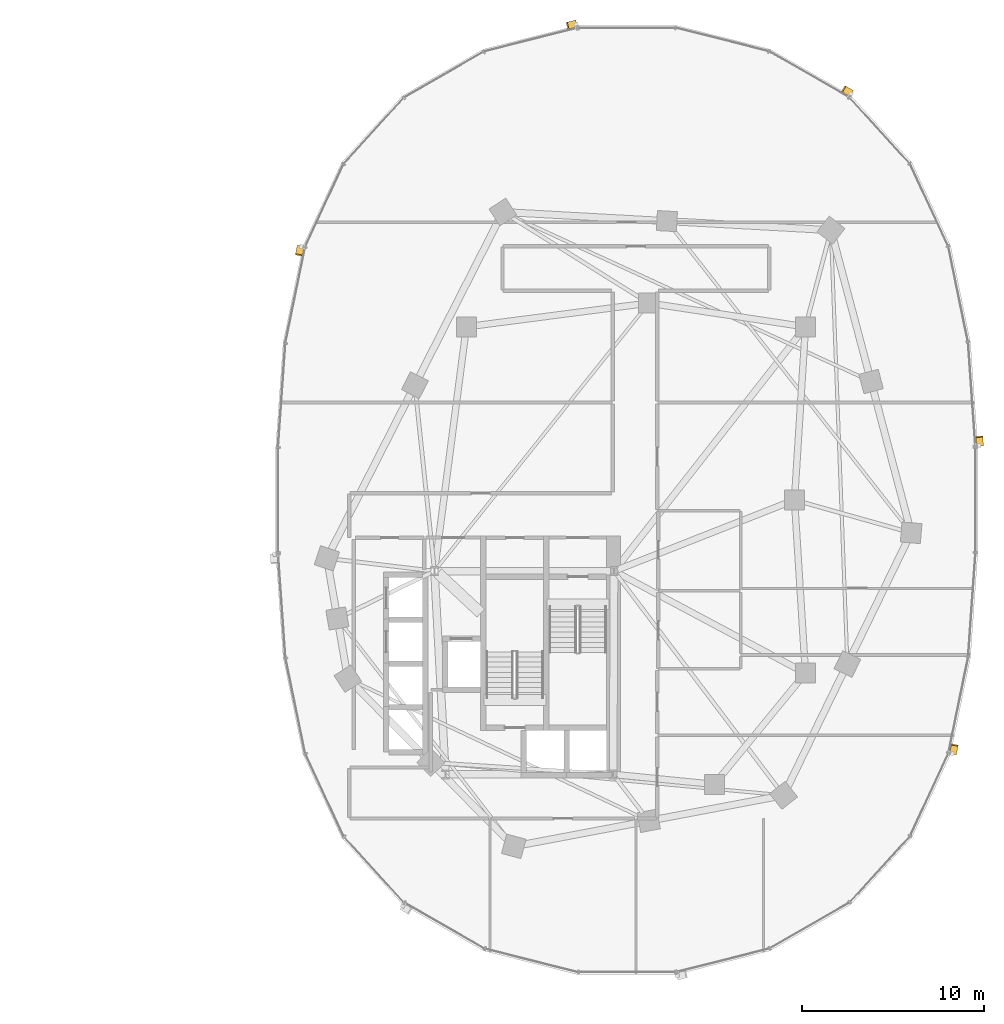
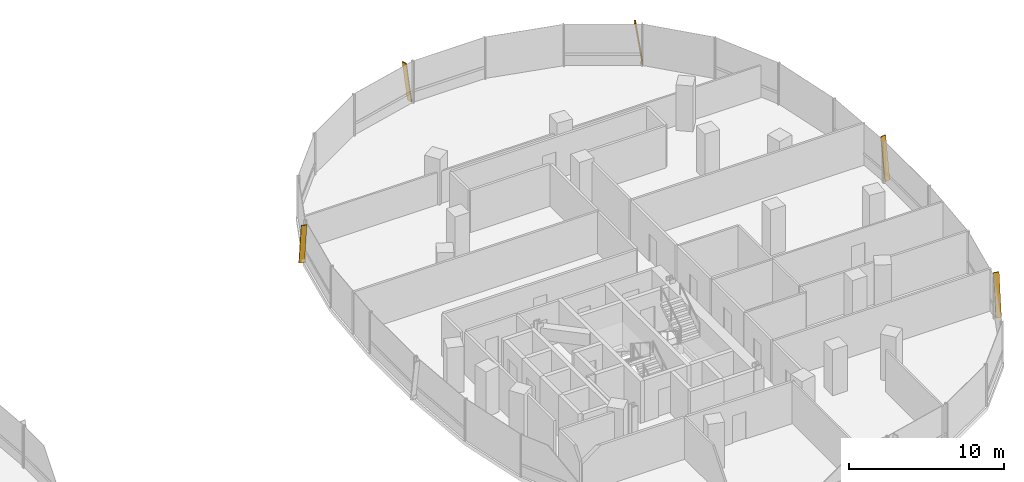
# One storey, part 21 of 21: 5 shading devices.
"""IFC4 building model written with IfcOpenShell, lengths in metres."""

from ifc_helpers import new_model, si_unit, direction, frame, origin, origin_2d, place, context, subcontext, project, spatial, rectangle, extrude, material, material_profile, profile_set, type_object, element, save


model = new_model("IFC4")

# Units and contexts
model_context = context("Model", 3, precision=1e-05, world=origin(), true_north=direction((0.0, 1.0)))
body_context = subcontext(model_context, "Body", "Model", "MODEL_VIEW")
ifc_project = project(units=[si_unit("LENGTHUNIT", "METRE"), si_unit("AREAUNIT", "SQUARE_METRE"), si_unit("VOLUMEUNIT", "CUBIC_METRE"), si_unit("PLANEANGLEUNIT", "RADIAN"), si_unit("MASSUNIT", "GRAM", prefix="KILO"), si_unit("THERMODYNAMICTEMPERATUREUNIT", "KELVIN"), si_unit("POWERUNIT", "WATT")], contexts=[model_context])

# Site, building, storey
site_placement = place(None, origin())
site = spatial("IfcSite", under=ifc_project, at=site_placement, CompositionType="ELEMENT")
building_placement = place(site_placement, origin())
building = spatial("IfcBuilding", under=site, at=building_placement, Name="Cundina Bronze Exchange", CompositionType="ELEMENT")
storey_placement = place(building_placement, frame((0.0, 0.0, 117.800048828125)))
storey = spatial("IfcBuildingStorey", under=building, at=storey_placement, Name="L30", CompositionType="ELEMENT", Elevation=117.800048828125)

# Shading devices
ifc_material = material(Name="Anodised Bronze Aluminium 6063-T6", Category="aluminium")
ifc_material_profile = material_profile(ifc_material, rectangle(XDim=0.070068359375, YDim=0.3798828125, at=origin_2d()), Name="FIN70X380", Category="aluminium")
ifc_profile_set = profile_set([ifc_material_profile], Name="Anodised Bronze Aluminium 6063-T6")
shading_device_type = type_object("IfcShadingDeviceType", Name="SHD-FIN-BRZ380", PredefinedType="USERDEFINED", material=ifc_profile_set)
for number, where, z_axis, x_axis, name in (
    (1, (51.3740234375, 2.993896484375, 0.02001953125), (-0.010224545828, 0.145292278041, 0.989335945271), (0.069450050635, -0.986895284755, 0.145651595925), "L30 Diagonal Bronze Solar Fin 1"),
    (2, (44.314208984375, 22.314208984375, 0.02001953125), (-0.126324692219, 0.072534823274, 0.989333498649), (0.857958278167, -0.492634108109, 0.145668213594), "L30 Diagonal Bronze Solar Fin 5"),
    (3, (29.212646484375, 26.138427734375, 0.02001953125), (-0.141217047268, -0.035711761166, 0.989334329575), (0.95914051701, 0.242552848478, 0.145662570088), "L30 Diagonal Bronze Solar Fin 1"),
    (4, (14.10400390625, 13.911865234375, 0.02001953125), (-0.029413888538, -0.142698109128, 0.989329102378), (0.199728220342, 0.968958570224, 0.145698068578), "L30 Diagonal Bronze Solar Fin 5"),
    (5, (49.89599609375, -13.911865234375, 0.02001953125), (0.029413888538, 0.142698109128, 0.989329102378), (-0.199728220342, -0.968958570224, 0.145698068578), "L30 Diagonal Bronze Solar Fin 5"),
):
    element("IfcShadingDevice", number, at=place(storey_placement, frame(where, z_axis=z_axis, x_axis=x_axis)), inside=storey, type_object=shading_device_type, Name=name, ObjectType="FIN", PredefinedType="USERDEFINED", context=body_context, shape_type="SweptSolid", body=[
        extrude(rectangle(XDim=0.070068359375, YDim=0.3798828125, at=origin_2d()), origin(), (0.0, 0.0, 1.0), 3.295166015625),
    ])

save(model, "model.ifc")
